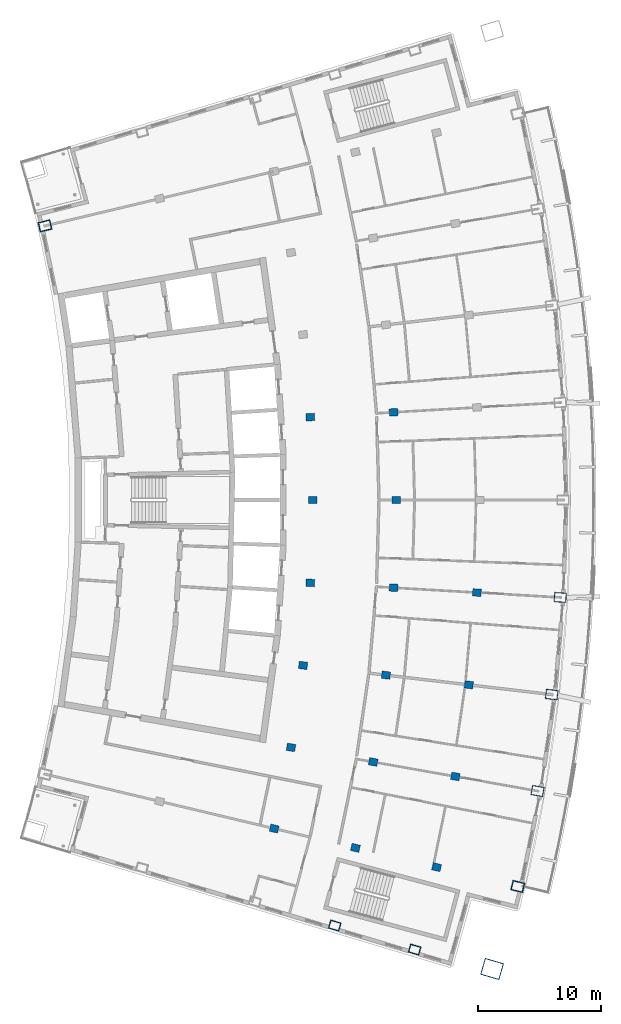
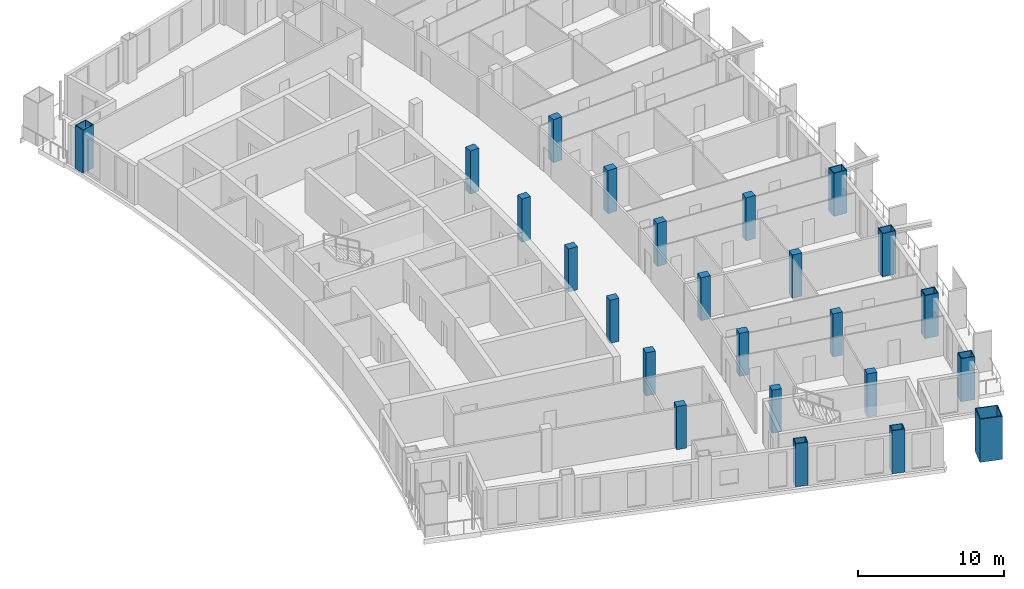
# One storey, part 2 of 17: 24 columns.
"""IFC4 building model written with IfcOpenShell, lengths in metres."""

from ifc_helpers import new_model, si_unit, direction, frame, origin, origin_2d, place, context, subcontext, project, spatial, rectangle, hollow_rectangle, extrude, material, material_profile, profile_set, type_object, element, save


model = new_model("IFC4")

# Units and contexts
model_context = context("Model", 3, precision=1e-05, world=origin(), true_north=direction((0.0, 1.0)))
body_context = subcontext(model_context, "Body", "Model", "MODEL_VIEW")
ifc_project = project(units=[si_unit("LENGTHUNIT", "METRE"), si_unit("AREAUNIT", "SQUARE_METRE"), si_unit("VOLUMEUNIT", "CUBIC_METRE"), si_unit("PLANEANGLEUNIT", "RADIAN"), si_unit("MASSUNIT", "GRAM", prefix="KILO")], contexts=[model_context])

# Site, building, storey
site_placement = place(None, origin())
site = spatial("IfcSite", under=ifc_project, at=site_placement, CompositionType="ELEMENT")
building_placement = place(site_placement, origin())
building = spatial("IfcBuilding", under=site, at=building_placement, Name="Alderwake Tower", CompositionType="ELEMENT")
storey_placement = place(building_placement, frame((0.0, 0.0, 270.800048828125)))
storey = spatial("IfcBuildingStorey", under=building, at=storey_placement, Name="L67", CompositionType="ELEMENT", Elevation=270.800048828125)

# Columns
ifc_material_1 = material(Name="Steel ASTM A572 Grade 50 concrete filled C70/85", Category="concrete")
ifc_material_profile_1 = material_profile(ifc_material_1, hollow_rectangle(XDim=0.699951171875, YDim=0.89990234375, WallThickness=0.050048828125, at=origin_2d()), Name="BOX 900X700X50")
ifc_profile_set_1 = profile_set([ifc_material_profile_1], Name="Steel ASTM A572 Grade 50 concrete filled C70/85")
column_type_1 = type_object("IfcColumnType", Name="End column Z5", PredefinedType="COLUMN", material=ifc_profile_set_1)
for number, where, z_axis, x_axis, name in (
    (1, (37.59326171875, 26.321533203125, 0.0), (0.0, 0.0, 1.0), (0.282858780249, 0.959161566388, 0.0), "Column R02-C3"),
    (2, (44.106201171875, 24.3662109375, 0.0), (0.0, 0.0, 1.0), (0.28310485669, 0.95908896361, 0.0), "Column R02-C4"),
):
    element("IfcColumn", number, at=place(storey_placement, frame(where, z_axis=z_axis, x_axis=x_axis)), inside=storey, type_object=column_type_1, Name=name, PredefinedType="COLUMN", context=body_context, shape_type="SweptSolid", body=[
        extrude(hollow_rectangle(XDim=0.699951171875, YDim=0.89990234375, WallThickness=0.050048828125, at=origin_2d()), origin(), (0.0, 0.0, 1.0), 3.599853515625),
    ])
ifc_material_2 = material(Name="Concrete C70/85", Category="concrete")
ifc_material_profile_2 = material_profile(ifc_material_2, rectangle(XDim=0.60009765625, YDim=0.699951171875, at=origin_2d()), Name="RC 700X600")
ifc_profile_set_2 = profile_set([ifc_material_profile_2], Name="Concrete C70/85")
column_type_2 = type_object("IfcColumnType", Name="Interior column Z5", PredefinedType="COLUMN", material=ifc_profile_set_2)
for number, where, z_axis, x_axis, name in (
    (3, (32.661865234375, 34.224609375, 0.0), (0.0, 0.0, 1.0), (0.231221547198, 0.972901123502, 0.0), "Column R03-C2"),
    (4, (39.277587890625, 32.652099609375, 0.0), (0.0, 0.0, 1.0), (0.231221547198, 0.972901123502, 0.0), "Column R03-C3"),
    (5, (45.893310546875, 31.079833984375, 0.0), (0.0, 0.0, 1.0), (0.231221547198, 0.972901123502, 0.0), "Column R03-C4"),
    (6, (34.03125, 40.83837890625, 0.0), (0.0, 0.0, 1.0), (0.174108800747, 0.984726421654, 0.0), "Column R04-C2"),
    (7, (40.7275390625, 39.654296875, 0.0), (0.0, 0.0, 1.0), (0.174108800747, 0.984726421654, 0.0), "Column R04-C3"),
    (8, (47.423583984375, 38.470458984375, 0.0), (0.0, 0.0, 1.0), (0.174108800747, 0.984726421654, 0.0), "Column R04-C4"),
    (9, (35.0126953125, 47.5205078125, 0.0), (0.0, 0.0, 1.0), (0.116402054316, 0.993202175668, 0.0), "Column R05-C2"),
    (10, (41.7666015625, 46.72900390625, 0.0), (0.0, 0.0, 1.0), (0.116402054316, 0.993202175668, 0.0), "Column R05-C3"),
    (11, (48.5205078125, 45.9375, 0.0), (0.0, 0.0, 1.0), (0.116402054316, 0.993202175668, 0.0), "Column R05-C4"),
    (12, (35.60302734375, 54.248779296875, 0.0), (0.0, 0.0, 1.0), (0.058301061284, 0.998299046505, 0.0), "Column R06-C2"),
    (13, (42.3916015625, 53.852294921875, 0.0), (0.0, 0.0, 1.0), (0.058299318924, 0.998299148258, 0.0), "Column R06-C3"),
    (14, (49.179931640625, 53.455810546875, 0.0), (0.0, 0.0, 1.0), (0.058301061284, 0.998299046505, 0.0), "Column R06-C4"),
    (15, (35.800048828125, 61.0, 0.0), (0.0, 0.0, 1.0), (0.0, 1.0, 0.0), "Column R07-C2"),
    (16, (42.60009765625, 61.0, 0.0), (0.0, 0.0, 1.0), (0.0, 1.0, 0.0), "Column R07-C3"),
    (17, (35.60302734375, 67.751220703125, 0.0), (0.0, 0.0, 1.0), (-0.058301061284, 0.998299046505, 0.0), "Column R08-C2"),
    (18, (42.3916015625, 68.147705078125, 0.0), (0.0, 0.0, 1.0), (-0.058299318924, 0.998299148258, 0.0), "Column R08-C3"),
):
    element("IfcColumn", number, at=place(storey_placement, frame(where, z_axis=z_axis, x_axis=x_axis)), inside=storey, type_object=column_type_2, Name=name, PredefinedType="COLUMN", context=body_context, shape_type="SweptSolid", body=[
        extrude(rectangle(XDim=0.60009765625, YDim=0.699951171875, at=origin_2d()), origin(), (0.0, 0.0, 1.0), 3.599853515625),
    ])
ifc_material_3 = material(Name="Steel ASTM A572 Grade 50 concrete filled C70/85", Category="concrete")
ifc_material_profile_3 = material_profile(ifc_material_3, hollow_rectangle(XDim=1.39990234375, YDim=1.60009765625, WallThickness=0.070068359375, at=origin_2d()), Name="BOX 1600X1400X70")
ifc_profile_set_3 = profile_set([ifc_material_profile_3], Name="Steel ASTM A572 Grade 50 concrete filled C70/85")
column_type_3 = type_object("IfcColumnType", Name="Mega column Z5", PredefinedType="COLUMN", material=ifc_profile_set_3)
column_placement = place(storey_placement, frame((50.415771484375, 22.782958984375, 0.0), z_axis=(0.0, 0.0, 1.0), x_axis=(0.281214445816, 0.959644952816, 0.0)))
element("IfcColumn", 19, at=column_placement, inside=storey, type_object=column_type_3, Name="Column R02-C5", PredefinedType="COLUMN", context=body_context, shape_type="SweptSolid", body=[
    extrude(hollow_rectangle(XDim=1.39990234375, YDim=1.60009765625, WallThickness=0.070068359375, at=origin_2d()), origin(), (0.0, 0.0, 1.0), 3.599853515625),
])
ifc_material_4 = material(Name="Steel ASTM A572 Grade 50 concrete filled C70/85", Category="concrete")
ifc_material_profile_4 = material_profile(ifc_material_4, hollow_rectangle(XDim=0.800048828125, YDim=1.0, WallThickness=0.054931640625, at=origin_2d()), Name="BOX 1000X800X55")
ifc_profile_set_4 = profile_set([ifc_material_profile_4], Name="Steel ASTM A572 Grade 50 concrete filled C70/85")
column_type_4 = type_object("IfcColumnType", Name="Perimeter column Z5", PredefinedType="COLUMN", material=ifc_profile_set_4)
for number, where, z_axis, x_axis, name in (
    (20, (52.509033203125, 29.507568359375, 0.0), (0.0, 0.0, 1.0), (0.231221547198, 0.972901123502, 0.0), "Column R03-C5"),
    (21, (54.119873046875, 37.28662109375, 0.0), (0.0, 0.0, 1.0), (0.174107082075, 0.984726725529, 0.0), "Column R04-C5"),
    (22, (55.274169921875, 45.14599609375, 0.0), (0.0, 0.0, 1.0), (0.116402054316, 0.993202175668, 0.0), "Column R05-C5"),
    (23, (55.96826171875, 53.0595703125, 0.0), (0.0, 0.0, 1.0), (0.058301061284, 0.998299046505, 0.0), "Column R06-C5"),
    (24, (13.982177734375, 83.3359375, 0.0), (0.0, 0.0, 1.0), (-0.231221547198, 0.972901123502, 0.0), "Column R11-C0"),
):
    element("IfcColumn", number, at=place(storey_placement, frame(where, z_axis=z_axis, x_axis=x_axis)), inside=storey, type_object=column_type_4, Name=name, PredefinedType="COLUMN", context=body_context, shape_type="SweptSolid", body=[
        extrude(hollow_rectangle(XDim=0.800048828125, YDim=1.0, WallThickness=0.054931640625, at=origin_2d()), origin(), (0.0, 0.0, 1.0), 3.599853515625),
    ])

save(model, "model.ifc")
